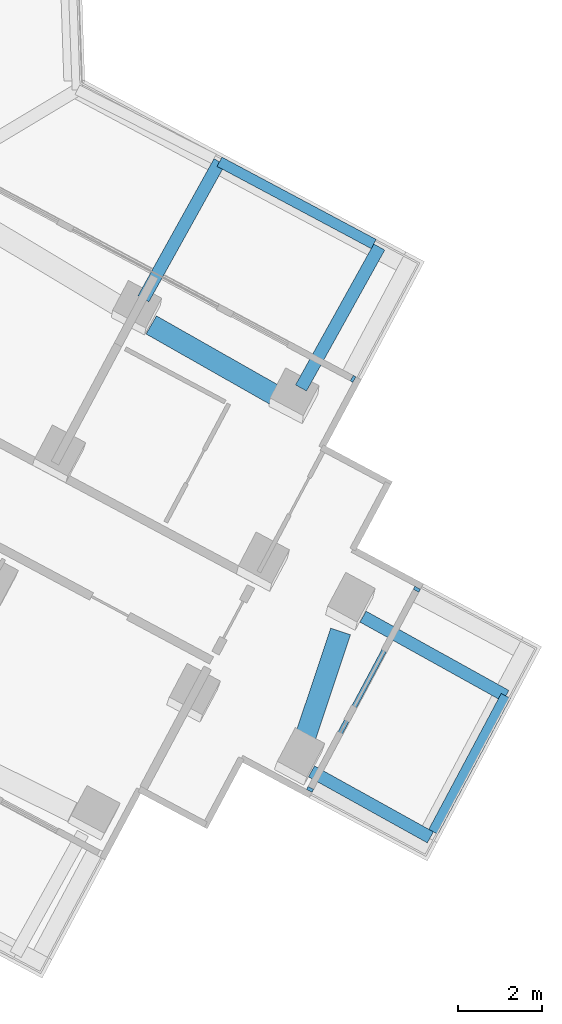
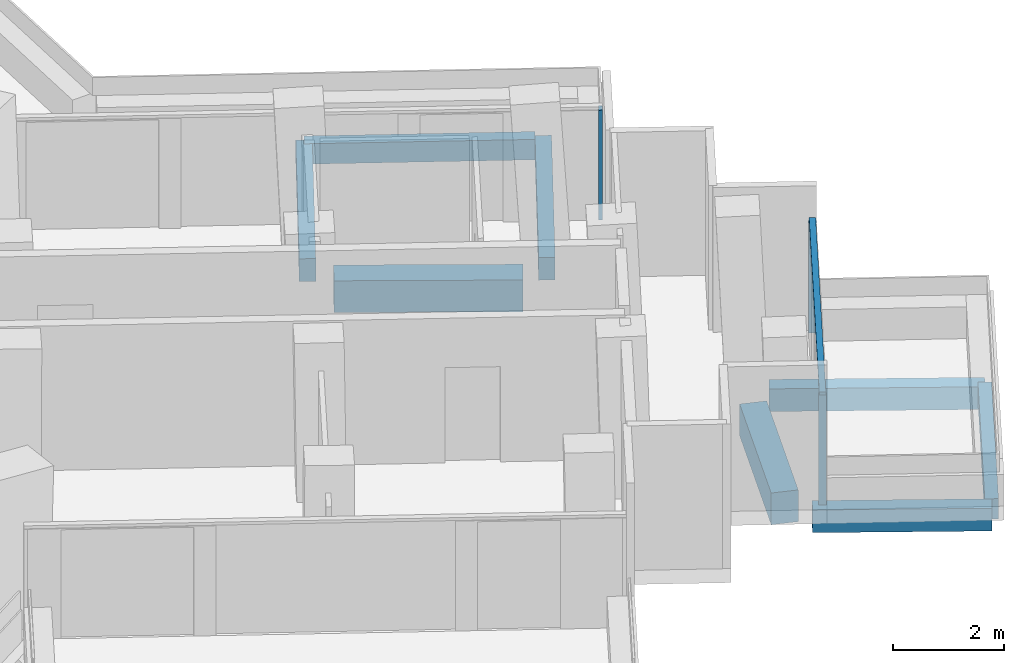
# One storey, part 12 of 27: 8 beams, 4 members, 2 elements without a shape of their own.
"""IFC4 building model written with IfcOpenShell, lengths in metres."""

from ifc_helpers import new_model, si_unit, direction, frame, origin, origin_2d, place, context, subcontext, project, spatial, rectangle, extrude, material, layer, layer_set, material_profile, profile_set, type_object, element, aggregate, save


model = new_model("IFC4")

# Units and contexts
model_context = context("Model", 3, precision=1e-05, world=origin(), true_north=direction((0.0, 1.0)))
body_context = subcontext(model_context, "Body", "Model", "MODEL_VIEW")
ifc_project = project(units=[si_unit("LENGTHUNIT", "METRE"), si_unit("AREAUNIT", "SQUARE_METRE"), si_unit("VOLUMEUNIT", "CUBIC_METRE"), si_unit("PLANEANGLEUNIT", "RADIAN"), si_unit("MASSUNIT", "GRAM", prefix="KILO")], contexts=[model_context])

# Site, building, storey
site_placement = place(None, origin())
site = spatial("IfcSite", under=ifc_project, at=site_placement, CompositionType="ELEMENT")
building_placement = place(site_placement, origin())
building = spatial("IfcBuilding", under=site, at=building_placement, Name="Verdalira Terraces Hotel", CompositionType="ELEMENT")
storey_placement = place(building_placement, frame((0.0, 0.0, 42.5)))
storey = spatial("IfcBuildingStorey", under=building, at=storey_placement, Name="L08", CompositionType="ELEMENT", Elevation=42.5)

# Beams
ifc_material_1 = material(Name="Concrete C40", Category="concrete")
ifc_material_profile_1 = material_profile(ifc_material_1, rectangle(XDim=0.300049, YDim=0.5, at=origin_2d()), Name="RC 300X500")
ifc_profile_set_1 = profile_set([ifc_material_profile_1], Name="Concrete C40")
beam_type_1 = type_object("IfcBeamType", Name="Balcony cantilever beam RC 300X500 C40", PredefinedType="BEAM", material=ifc_profile_set_1)
beam_1_placement = place(storey_placement, frame((33.014893, -20.23584, -0.560059), z_axis=(0.874306157, -0.485374848, 0.0), x_axis=(0.485374848, 0.874306157, 0.0)))
element("IfcBeam", 1, at=beam_1_placement, inside=storey, type_object=beam_type_1, Name="Balcony cantilever beam R33-1", PredefinedType="BEAM", context=body_context, shape_type="SweptSolid", body=[
    extrude(rectangle(XDim=0.300049, YDim=0.5, at=origin_2d()), origin(), (0.0, 0.0, 1.0), 3.247803),
])
beam_2_placement = place(storey_placement, frame((34.245605, -16.539062, -0.560059), z_axis=(0.874298898, -0.485387924, 0.0), x_axis=(0.485387924, 0.874298898, 0.0)))
element("IfcBeam", 2, at=beam_2_placement, inside=storey, type_object=beam_type_1, Name="Balcony cantilever beam R33-2", PredefinedType="BEAM", context=body_context, shape_type="SweptSolid", body=[
    extrude(rectangle(XDim=0.300049, YDim=0.5, at=origin_2d()), origin(), (0.0, 0.0, 1.0), 3.9021),
])
beam_3_placement = place(storey_placement, frame((32.764648, -11.077148, -0.560059), z_axis=(0.485389942, 0.874297778, 0.0), x_axis=(-0.874297778, 0.485389942, 0.0)))
element("IfcBeam", 3, at=beam_3_placement, inside=storey, type_object=beam_type_1, Name="Balcony cantilever beam R38-1", PredefinedType="BEAM", context=body_context, shape_type="SweptSolid", body=[
    extrude(rectangle(XDim=0.300049, YDim=0.5, at=origin_2d()), origin(), (0.0, 0.0, 1.0), 3.851318),
])
beam_4_placement = place(storey_placement, frame((28.999268, -8.94751, -0.560059), z_axis=(0.485443643, 0.874267962, 0.0), x_axis=(-0.874267962, 0.485443643, 0.0)))
element("IfcBeam", 4, at=beam_4_placement, inside=storey, type_object=beam_type_1, Name="Balcony cantilever beam R38-2", PredefinedType="BEAM", context=body_context, shape_type="SweptSolid", body=[
    extrude(rectangle(XDim=0.300049, YDim=0.5, at=origin_2d()), origin(), (0.0, 0.0, 1.0), 3.744873),
])
ifc_material_2 = material(Name="Concrete C40", Category="concrete")
ifc_material_profile_2 = material_profile(ifc_material_2, rectangle(XDim=0.25, YDim=0.449951, at=origin_2d()), Name="RC 250X450")
ifc_profile_set_2 = profile_set([ifc_material_profile_2], Name="Concrete C40")
beam_type_2 = type_object("IfcBeamType", Name="Balcony edge beam RC 250X450 C40", PredefinedType="BEAM", material=ifc_profile_set_2)
beam_5_placement = place(storey_placement, frame((35.925049, -21.679932, -0.534912), z_axis=(0.470701863, 0.88229233, 0.0), x_axis=(-0.88229233, 0.470701863, 0.0)))
element("IfcBeam", 5, at=beam_5_placement, inside=storey, type_object=beam_type_2, Name="Balcony edge beam R33-1", PredefinedType="BEAM", context=body_context, shape_type="SweptSolid", body=[
    extrude(rectangle(XDim=0.25, YDim=0.449951, at=origin_2d()), origin(), (0.0, 0.0, 1.0), 3.679932),
])
beam_6_placement = place(storey_placement, frame((34.501709, -7.639404, -0.534912), z_axis=(-0.882281727, 0.470721738, 0.0), x_axis=(-0.470721738, -0.882281727, 0.0)))
element("IfcBeam", 6, at=beam_6_placement, inside=storey, type_object=beam_type_2, Name="Balcony edge beam R38-1", PredefinedType="BEAM", context=body_context, shape_type="SweptSolid", body=[
    extrude(rectangle(XDim=0.25, YDim=0.449951, at=origin_2d()), origin(), (0.0, 0.0, 1.0), 4.17627),
])

# Curtain wall, member
ifc_material_3 = material(Name="Clear glass", Category="glass")
ifc_layer_1 = layer(ifc_material_3, 0.14990234375)
ifc_layer_set_1 = layer_set([ifc_layer_1], Name="CW2 curtain wall")
curtain_wall_type_1 = type_object("IfcCurtainWallType", Name="CW2 curtain wall", PredefinedType="NOTDEFINED", material=ifc_layer_set_1)
curtain_wall_1_placement = place(storey_placement, origin())
curtain_wall_1 = element("IfcCurtainWall", 7, at=curtain_wall_1_placement, inside=storey, type_object=curtain_wall_type_1, Name="CW2 curtain wall L08 edge 38", PredefinedType="NOTDEFINED")
ifc_material_4 = material(Name="Terracotta frame", Category="masonry")
ifc_material_profile_3 = material_profile(ifc_material_4, rectangle(XDim=0.070068, YDim=0.149902, at=origin_2d()), Name="MU 70x150")
ifc_profile_set_3 = profile_set([ifc_material_profile_3], Name="Terracotta frame")
member_type_1 = type_object("IfcMemberType", Name="CW2 mullion 70x150", PredefinedType="MULLION", material=ifc_profile_set_3)
member_1_placement = place(storey_placement, frame((34.00708, -10.860596, 0.0), z_axis=(0.0, 0.0, 1.0), x_axis=(-0.882291226, 0.470703932, 0.0)))
member_1 = element("IfcMember", 8, at=member_1_placement, type_object=member_type_1, Name="CW2 mullion", PredefinedType="MULLION", context=body_context, shape_type="SweptSolid", body=[
    extrude(rectangle(XDim=0.070068, YDim=0.149902, at=origin_2d()), origin(), (0.0, 0.0, 1.0), 2.425049),
])
aggregate(curtain_wall_1, [member_1])

# Curtain wall, members
ifc_material_5 = material(Name="Clear glass", Category="glass")
ifc_layer_2 = layer(ifc_material_5, 0.14990234375)
ifc_layer_set_2 = layer_set([ifc_layer_2], Name="CW3 curtain wall")
curtain_wall_type_2 = type_object("IfcCurtainWallType", Name="CW3 curtain wall", PredefinedType="NOTDEFINED", material=ifc_layer_set_2)
curtain_wall_2_placement = place(storey_placement, origin())
curtain_wall_2 = element("IfcCurtainWall", 9, at=curtain_wall_2_placement, inside=storey, type_object=curtain_wall_type_2, Name="CW3 curtain wall L08 edge 33", PredefinedType="NOTDEFINED")
ifc_material_6 = material(Name="Terracotta frame", Category="masonry")
ifc_material_profile_4 = material_profile(ifc_material_6, rectangle(XDim=0.080078, YDim=0.149902, at=origin_2d()), Name="MU 80x150")
ifc_profile_set_4 = profile_set([ifc_material_profile_4], Name="Terracotta frame")
member_type_2 = type_object("IfcMemberType", Name="CW3 mullion 80x150", PredefinedType="MULLION", material=ifc_profile_set_4)
member_2_placement = place(storey_placement, frame((32.980469, -20.666748, 0.0), z_axis=(0.0, 0.0, 1.0), x_axis=(0.470703932, 0.882291226, 0.0)))
member_2 = element("IfcMember", 10, at=member_2_placement, type_object=member_type_2, Name="CW3 mullion", PredefinedType="MULLION", context=body_context, shape_type="SweptSolid", body=[
    extrude(rectangle(XDim=0.080078, YDim=0.149902, at=origin_2d()), origin(), (0.0, 0.0, 1.0), 2.425049),
])
member_3_placement = place(storey_placement, frame((35.531738, -15.884766, 0.0), z_axis=(0.0, 0.0, 1.0), x_axis=(0.470703932, 0.882291226, 0.0)))
member_3 = element("IfcMember", 11, at=member_3_placement, type_object=member_type_2, Name="CW3 mullion", PredefinedType="MULLION", context=body_context, shape_type="SweptSolid", body=[
    extrude(rectangle(XDim=0.080078, YDim=0.149902, at=origin_2d()), origin(), (0.0, 0.0, 1.0), 2.425049),
])
ifc_material_7 = material(Name="Terracotta frame", Category="masonry")
ifc_material_profile_5 = material_profile(ifc_material_7, rectangle(XDim=0.120117, YDim=0.064941, at=origin_2d()), Name="TR 65x120")
ifc_profile_set_5 = profile_set([ifc_material_profile_5], Name="Terracotta frame")
member_type_3 = type_object("IfcMemberType", Name="CW3 transom 65x120", PredefinedType="USERDEFINED", material=ifc_profile_set_5)
member_4_placement = place(storey_placement, frame((32.96167, -20.701904, 2.45752), z_axis=(0.470708037, 0.882289036, 0.0), x_axis=(-0.882289036, 0.470708037, 0.0)))
member_4 = element("IfcMember", 12, at=member_4_placement, type_object=member_type_3, Name="CW3 transom", ObjectType="TRANSOM", PredefinedType="USERDEFINED", context=body_context, shape_type="SweptSolid", body=[
    extrude(rectangle(XDim=0.120117, YDim=0.064941, at=origin_2d()), origin(), (0.0, 0.0, 1.0), 5.5),
])
aggregate(curtain_wall_2, [member_2, member_3, member_4])

# Beams
ifc_material_8 = material(Name="Concrete C70", Category="concrete")
ifc_material_profile_6 = material_profile(ifc_material_8, rectangle(XDim=0.5, YDim=0.699951, at=origin_2d()), Name="RC 500X700")
ifc_profile_set_6 = profile_set([ifc_material_profile_6], Name="Concrete C70")
beam_type_3 = type_object("IfcBeamType", Name="Spandrel beam RC 500X700 C70", PredefinedType="SPANDREL", material=ifc_profile_set_6)
beam_7_placement = place(storey_placement, frame((32.801514, -19.61084, -0.659912), z_axis=(0.317403407, 0.948290608, 0.0), x_axis=(-0.948290608, 0.317403407, 0.0)))
element("IfcBeam", 13, at=beam_7_placement, inside=storey, type_object=beam_type_3, Name="Spandrel beam B27", PredefinedType="SPANDREL", context=body_context, shape_type="SweptSolid", body=[
    extrude(rectangle(XDim=0.5, YDim=0.699951, at=origin_2d()), origin(), (0.0, 0.0, 1.0), 2.865234),
])
beam_8_placement = place(storey_placement, frame((32.162598, -11.260742, -0.659912), z_axis=(-0.869609746, 0.493739698, 0.0), x_axis=(-0.493739698, -0.869609746, 0.0)))
element("IfcBeam", 14, at=beam_8_placement, inside=storey, type_object=beam_type_3, Name="Spandrel beam B28", PredefinedType="SPANDREL", context=body_context, shape_type="SweptSolid", body=[
    extrude(rectangle(XDim=0.5, YDim=0.699951, at=origin_2d()), origin(), (0.0, 0.0, 1.0), 3.421631),
])

save(model, "model.ifc")
